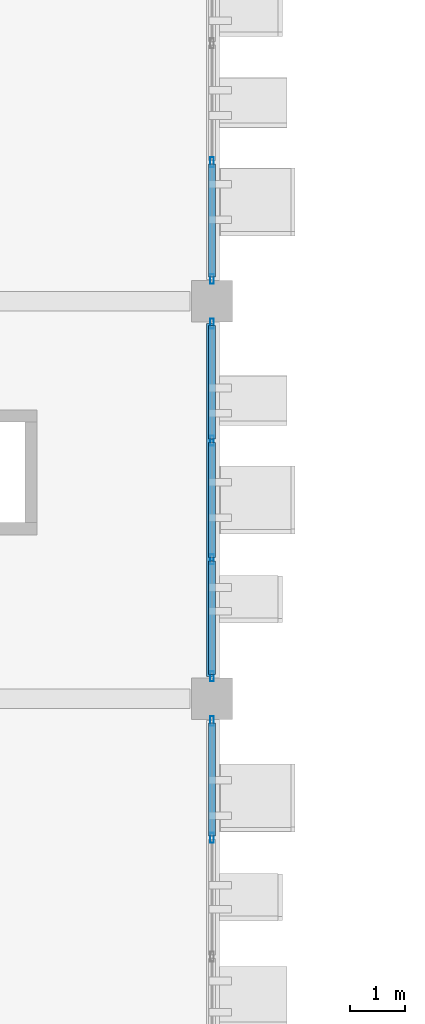
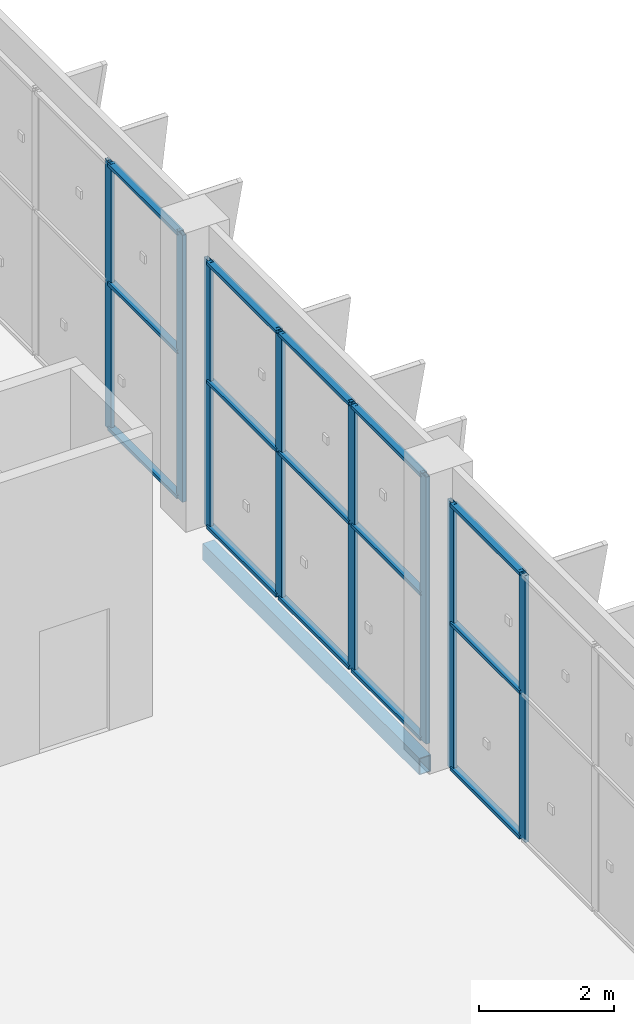
# One storey, part 57 of 189: 23 members, 1 beam, 3 elements without a shape of their own.
"""IFC4 building model written with IfcOpenShell, lengths in metres."""

from ifc_helpers import new_model, si_unit, direction, frame, origin, origin_2d, place, context, subcontext, project, spatial, hollow_rectangle, extrude, material, layer, layer_set, material_profile, profile_set, type_object, element, aggregate, save


model = new_model("IFC4")

# Units and contexts
model_context = context("Model", 3, precision=1e-05, world=origin(), true_north=direction((0.0, 1.0)))
body_context = subcontext(model_context, "Body", "Model", "MODEL_VIEW")
ifc_project = project(units=[si_unit("LENGTHUNIT", "METRE"), si_unit("AREAUNIT", "SQUARE_METRE"), si_unit("VOLUMEUNIT", "CUBIC_METRE"), si_unit("PLANEANGLEUNIT", "RADIAN"), si_unit("MASSUNIT", "GRAM", prefix="KILO")], contexts=[model_context])

# Site, building, storey
site_placement = place(None, origin())
site = spatial("IfcSite", under=ifc_project, at=site_placement, CompositionType="ELEMENT")
building_placement = place(site_placement, origin())
building = spatial("IfcBuilding", under=site, at=building_placement, Name="Celestram Park Convention Centre", CompositionType="ELEMENT")
storey_placement = place(building_placement, frame((0.0, 0.0, 5.39990234375)))
storey = spatial("IfcBuildingStorey", under=building, at=storey_placement, Name="L01", CompositionType="ELEMENT", Elevation=5.39990234375)

# Curtain wall, members
ifc_material_1 = material(Name="Anodised Aluminium Alloy 6063-T6", Category="aluminium")
ifc_layer = layer(ifc_material_1, 0.179931640625)
ifc_layer_set = layer_set([ifc_layer], Name="Anodised Aluminium Alloy 6063-T6")
curtain_wall_type = type_object("IfcCurtainWallType", Name="ARC-CW-645X482", PredefinedType="NOTDEFINED", material=ifc_layer_set)
curtain_wall_1_placement = place(storey_placement, origin())
curtain_wall_1 = element("IfcCurtainWall", 1, at=curtain_wall_1_placement, inside=storey, type_object=curtain_wall_type, Name="Unitised curtain wall CU-L01-094", PredefinedType="NOTDEFINED")
ifc_material_profile_1 = material_profile(ifc_material_1, hollow_rectangle(XDim=0.06494140625, YDim=0.179931640625, WallThickness=0.00390625, at=origin_2d()), Name="ALU65X180X4")
ifc_profile_set_1 = profile_set([ifc_material_profile_1], Name="Anodised Aluminium Alloy 6063-T6")
member_type_1 = type_object("IfcMemberType", Name="ARC-CWM-150", PredefinedType="MULLION", material=ifc_profile_set_1)
member_1_placement = place(storey_placement, frame((144.0, 60.124267578125, 0.0), z_axis=(0.0, 0.0, 1.0), x_axis=(1.0, 0.0, 0.0)))
member_1 = element("IfcMember", 2, at=member_1_placement, type_object=member_type_1, Name="CW-64X48 mullion 3", PredefinedType="MULLION", context=body_context, shape_type="SweptSolid", body=[
    extrude(hollow_rectangle(XDim=0.06494140625, YDim=0.179931640625, WallThickness=0.00390625, at=origin_2d()), origin(), (0.0, 0.0, 1.0), 4.820068359375),
])
member_2_placement = place(storey_placement, frame((144.0, 58.005615234375, 0.0), z_axis=(0.0, 0.0, 1.0), x_axis=(1.0, 0.0, 0.0)))
member_2 = element("IfcMember", 3, at=member_2_placement, type_object=member_type_1, Name="CW-64X48 mullion 4", PredefinedType="MULLION", context=body_context, shape_type="SweptSolid", body=[
    extrude(hollow_rectangle(XDim=0.06494140625, YDim=0.179931640625, WallThickness=0.00390625, at=origin_2d()), origin(), (0.0, 0.0, 1.0), 4.820068359375),
])

curtain_wall_2_placement = place(storey_placement, origin())
curtain_wall_2 = element("IfcCurtainWall", 4, at=curtain_wall_2_placement, inside=storey, type_object=curtain_wall_type, Name="Unitised curtain wall CU-L01-095", PredefinedType="NOTDEFINED")
member_3_placement = place(storey_placement, frame((144.0, 57.194580078125, 0.0), z_axis=(0.0, 0.0, 1.0), x_axis=(1.0, 0.0, 0.0)))
member_3 = element("IfcMember", 5, at=member_3_placement, type_object=member_type_1, Name="CW-64X48 mullion 1", PredefinedType="MULLION", context=body_context, shape_type="SweptSolid", body=[
    extrude(hollow_rectangle(XDim=0.06494140625, YDim=0.179931640625, WallThickness=0.00390625, at=origin_2d()), origin(), (0.0, 0.0, 1.0), 4.820068359375),
])
member_4_placement = place(storey_placement, frame((144.0, 55.07568359375, 0.0), z_axis=(0.0, 0.0, 1.0), x_axis=(1.0, 0.0, 0.0)))
member_4 = element("IfcMember", 6, at=member_4_placement, type_object=member_type_1, Name="CW-64X48 mullion 2", PredefinedType="MULLION", context=body_context, shape_type="SweptSolid", body=[
    extrude(hollow_rectangle(XDim=0.06494140625, YDim=0.179931640625, WallThickness=0.00390625, at=origin_2d()), origin(), (0.0, 0.0, 1.0), 4.820068359375),
])
member_5_placement = place(storey_placement, frame((144.0, 52.92431640625, 0.0), z_axis=(0.0, 0.0, 1.0), x_axis=(1.0, 0.0, 0.0)))
member_5 = element("IfcMember", 7, at=member_5_placement, type_object=member_type_1, Name="CW-64X48 mullion 3", PredefinedType="MULLION", context=body_context, shape_type="SweptSolid", body=[
    extrude(hollow_rectangle(XDim=0.06494140625, YDim=0.179931640625, WallThickness=0.00390625, at=origin_2d()), origin(), (0.0, 0.0, 1.0), 4.820068359375),
])
member_6_placement = place(storey_placement, frame((144.0, 50.805419921875, 0.0), z_axis=(0.0, 0.0, 1.0), x_axis=(1.0, 0.0, 0.0)))
member_6 = element("IfcMember", 8, at=member_6_placement, type_object=member_type_1, Name="CW-64X48 mullion 4", PredefinedType="MULLION", context=body_context, shape_type="SweptSolid", body=[
    extrude(hollow_rectangle(XDim=0.06494140625, YDim=0.179931640625, WallThickness=0.00390625, at=origin_2d()), origin(), (0.0, 0.0, 1.0), 4.820068359375),
])

curtain_wall_3_placement = place(storey_placement, origin())
curtain_wall_3 = element("IfcCurtainWall", 9, at=curtain_wall_3_placement, inside=storey, type_object=curtain_wall_type, Name="Unitised curtain wall CU-L01-096", PredefinedType="NOTDEFINED")
member_7_placement = place(storey_placement, frame((144.0, 49.994384765625, 0.0), z_axis=(0.0, 0.0, 1.0), x_axis=(1.0, 0.0, 0.0)))
member_7 = element("IfcMember", 10, at=member_7_placement, type_object=member_type_1, Name="CW-64X48 mullion 1", PredefinedType="MULLION", context=body_context, shape_type="SweptSolid", body=[
    extrude(hollow_rectangle(XDim=0.06494140625, YDim=0.179931640625, WallThickness=0.00390625, at=origin_2d()), origin(), (0.0, 0.0, 1.0), 4.820068359375),
])
member_8_placement = place(storey_placement, frame((144.0, 47.875732421875, 0.0), z_axis=(0.0, 0.0, 1.0), x_axis=(1.0, 0.0, 0.0)))
member_8 = element("IfcMember", 11, at=member_8_placement, type_object=member_type_1, Name="CW-64X48 mullion 2", PredefinedType="MULLION", context=body_context, shape_type="SweptSolid", body=[
    extrude(hollow_rectangle(XDim=0.06494140625, YDim=0.179931640625, WallThickness=0.00390625, at=origin_2d()), origin(), (0.0, 0.0, 1.0), 4.820068359375),
])

# Member
ifc_material_profile_2 = material_profile(ifc_material_1, hollow_rectangle(XDim=0.1201171875, YDim=0.06005859375, WallThickness=0.0029296875, at=origin_2d()), Name="ALU120X60X3")
ifc_profile_set_2 = profile_set([ifc_material_profile_2], Name="Anodised Aluminium Alloy 6063-T6")
member_type_2 = type_object("IfcMemberType", Name="ARC-CWT-120", PredefinedType="USERDEFINED", material=ifc_profile_set_2)
member_9_placement = place(storey_placement, frame((144.0, 60.091796875, 0.030029296875), z_axis=(0.0, -1.0, 0.0), x_axis=(1.0, 0.0, 0.0)))
member_9 = element("IfcMember", 12, at=member_9_placement, type_object=member_type_2, Name="CW-64X48 transom 3.1", ObjectType="TRANSOM", PredefinedType="USERDEFINED", context=body_context, shape_type="SweptSolid", body=[
    extrude(hollow_rectangle(XDim=0.1201171875, YDim=0.06005859375, WallThickness=0.0029296875, at=origin_2d()), origin(), (0.0, 0.0, 1.0), 2.0537109375),
])

member_10_placement = place(storey_placement, frame((144.0, 60.091796875, 2.650146484375), z_axis=(0.0, -1.0, 0.0), x_axis=(1.0, 0.0, 0.0)))
member_10 = element("IfcMember", 13, at=member_10_placement, type_object=member_type_2, Name="CW-64X48 transom 3.2", ObjectType="TRANSOM", PredefinedType="USERDEFINED", context=body_context, shape_type="SweptSolid", body=[
    extrude(hollow_rectangle(XDim=0.1201171875, YDim=0.06005859375, WallThickness=0.0029296875, at=origin_2d()), origin(), (0.0, 0.0, 1.0), 2.0537109375),
])

member_11_placement = place(storey_placement, frame((144.0, 60.091796875, 4.7900390625), z_axis=(0.0, -1.0, 0.0), x_axis=(1.0, 0.0, 0.0)))
member_11 = element("IfcMember", 14, at=member_11_placement, type_object=member_type_2, Name="CW-64X48 transom 3.3", ObjectType="TRANSOM", PredefinedType="USERDEFINED", context=body_context, shape_type="SweptSolid", body=[
    extrude(hollow_rectangle(XDim=0.1201171875, YDim=0.06005859375, WallThickness=0.0029296875, at=origin_2d()), origin(), (0.0, 0.0, 1.0), 2.0537109375),
])

aggregate(curtain_wall_1, [member_1, member_2, member_9, member_10, member_11])

member_12_placement = place(storey_placement, frame((144.0, 57.162109375, 0.030029296875), z_axis=(0.0, -1.0, 0.0), x_axis=(1.0, 0.0, 0.0)))
member_12 = element("IfcMember", 15, at=member_12_placement, type_object=member_type_2, Name="CW-64X48 transom 1.1", ObjectType="TRANSOM", PredefinedType="USERDEFINED", context=body_context, shape_type="SweptSolid", body=[
    extrude(hollow_rectangle(XDim=0.1201171875, YDim=0.06005859375, WallThickness=0.0029296875, at=origin_2d()), origin(), (0.0, 0.0, 1.0), 2.053955078125),
])

member_13_placement = place(storey_placement, frame((144.0, 57.162109375, 2.650146484375), z_axis=(0.0, -1.0, 0.0), x_axis=(1.0, 0.0, 0.0)))
member_13 = element("IfcMember", 16, at=member_13_placement, type_object=member_type_2, Name="CW-64X48 transom 1.2", ObjectType="TRANSOM", PredefinedType="USERDEFINED", context=body_context, shape_type="SweptSolid", body=[
    extrude(hollow_rectangle(XDim=0.1201171875, YDim=0.06005859375, WallThickness=0.0029296875, at=origin_2d()), origin(), (0.0, 0.0, 1.0), 2.053955078125),
])

member_14_placement = place(storey_placement, frame((144.0, 57.162109375, 4.7900390625), z_axis=(0.0, -1.0, 0.0), x_axis=(1.0, 0.0, 0.0)))
member_14 = element("IfcMember", 17, at=member_14_placement, type_object=member_type_2, Name="CW-64X48 transom 1.3", ObjectType="TRANSOM", PredefinedType="USERDEFINED", context=body_context, shape_type="SweptSolid", body=[
    extrude(hollow_rectangle(XDim=0.1201171875, YDim=0.06005859375, WallThickness=0.0029296875, at=origin_2d()), origin(), (0.0, 0.0, 1.0), 2.053955078125),
])

member_15_placement = place(storey_placement, frame((144.0, 55.043212890625, 0.030029296875), z_axis=(0.0, -1.0, 0.0), x_axis=(1.0, 0.0, 0.0)))
member_15 = element("IfcMember", 18, at=member_15_placement, type_object=member_type_2, Name="CW-64X48 transom 2.1", ObjectType="TRANSOM", PredefinedType="USERDEFINED", context=body_context, shape_type="SweptSolid", body=[
    extrude(hollow_rectangle(XDim=0.1201171875, YDim=0.06005859375, WallThickness=0.0029296875, at=origin_2d()), origin(), (0.0, 0.0, 1.0), 2.08642578125),
])

member_16_placement = place(storey_placement, frame((144.0, 55.043212890625, 2.650146484375), z_axis=(0.0, -1.0, 0.0), x_axis=(1.0, 0.0, 0.0)))
member_16 = element("IfcMember", 19, at=member_16_placement, type_object=member_type_2, Name="CW-64X48 transom 2.2", ObjectType="TRANSOM", PredefinedType="USERDEFINED", context=body_context, shape_type="SweptSolid", body=[
    extrude(hollow_rectangle(XDim=0.1201171875, YDim=0.06005859375, WallThickness=0.0029296875, at=origin_2d()), origin(), (0.0, 0.0, 1.0), 2.08642578125),
])

member_17_placement = place(storey_placement, frame((144.0, 55.043212890625, 4.7900390625), z_axis=(0.0, -1.0, 0.0), x_axis=(1.0, 0.0, 0.0)))
member_17 = element("IfcMember", 20, at=member_17_placement, type_object=member_type_2, Name="CW-64X48 transom 2.3", ObjectType="TRANSOM", PredefinedType="USERDEFINED", context=body_context, shape_type="SweptSolid", body=[
    extrude(hollow_rectangle(XDim=0.1201171875, YDim=0.06005859375, WallThickness=0.0029296875, at=origin_2d()), origin(), (0.0, 0.0, 1.0), 2.08642578125),
])

member_18_placement = place(storey_placement, frame((144.0, 52.891845703125, 0.030029296875), z_axis=(0.0, -1.0, 0.0), x_axis=(1.0, 0.0, 0.0)))
member_18 = element("IfcMember", 21, at=member_18_placement, type_object=member_type_2, Name="CW-64X48 transom 3.1", ObjectType="TRANSOM", PredefinedType="USERDEFINED", context=body_context, shape_type="SweptSolid", body=[
    extrude(hollow_rectangle(XDim=0.1201171875, YDim=0.06005859375, WallThickness=0.0029296875, at=origin_2d()), origin(), (0.0, 0.0, 1.0), 2.053955078125),
])

member_19_placement = place(storey_placement, frame((144.0, 52.891845703125, 2.650146484375), z_axis=(0.0, -1.0, 0.0), x_axis=(1.0, 0.0, 0.0)))
member_19 = element("IfcMember", 22, at=member_19_placement, type_object=member_type_2, Name="CW-64X48 transom 3.2", ObjectType="TRANSOM", PredefinedType="USERDEFINED", context=body_context, shape_type="SweptSolid", body=[
    extrude(hollow_rectangle(XDim=0.1201171875, YDim=0.06005859375, WallThickness=0.0029296875, at=origin_2d()), origin(), (0.0, 0.0, 1.0), 2.053955078125),
])

member_20_placement = place(storey_placement, frame((144.0, 52.891845703125, 4.7900390625), z_axis=(0.0, -1.0, 0.0), x_axis=(1.0, 0.0, 0.0)))
member_20 = element("IfcMember", 23, at=member_20_placement, type_object=member_type_2, Name="CW-64X48 transom 3.3", ObjectType="TRANSOM", PredefinedType="USERDEFINED", context=body_context, shape_type="SweptSolid", body=[
    extrude(hollow_rectangle(XDim=0.1201171875, YDim=0.06005859375, WallThickness=0.0029296875, at=origin_2d()), origin(), (0.0, 0.0, 1.0), 2.053955078125),
])

aggregate(curtain_wall_2, [member_3, member_4, member_5, member_6, member_12, member_13, member_14, member_15, member_16, member_17, member_18, member_19, member_20])

member_21_placement = place(storey_placement, frame((144.0, 49.9619140625, 0.030029296875), z_axis=(0.0, -1.0, 0.0), x_axis=(1.0, 0.0, 0.0)))
member_21 = element("IfcMember", 24, at=member_21_placement, type_object=member_type_2, Name="CW-64X48 transom 1.1", ObjectType="TRANSOM", PredefinedType="USERDEFINED", context=body_context, shape_type="SweptSolid", body=[
    extrude(hollow_rectangle(XDim=0.1201171875, YDim=0.06005859375, WallThickness=0.0029296875, at=origin_2d()), origin(), (0.0, 0.0, 1.0), 2.0537109375),
])

member_22_placement = place(storey_placement, frame((144.0, 49.9619140625, 2.650146484375), z_axis=(0.0, -1.0, 0.0), x_axis=(1.0, 0.0, 0.0)))
member_22 = element("IfcMember", 25, at=member_22_placement, type_object=member_type_2, Name="CW-64X48 transom 1.2", ObjectType="TRANSOM", PredefinedType="USERDEFINED", context=body_context, shape_type="SweptSolid", body=[
    extrude(hollow_rectangle(XDim=0.1201171875, YDim=0.06005859375, WallThickness=0.0029296875, at=origin_2d()), origin(), (0.0, 0.0, 1.0), 2.0537109375),
])

member_23_placement = place(storey_placement, frame((144.0, 49.9619140625, 4.7900390625), z_axis=(0.0, -1.0, 0.0), x_axis=(1.0, 0.0, 0.0)))
member_23 = element("IfcMember", 26, at=member_23_placement, type_object=member_type_2, Name="CW-64X48 transom 1.3", ObjectType="TRANSOM", PredefinedType="USERDEFINED", context=body_context, shape_type="SweptSolid", body=[
    extrude(hollow_rectangle(XDim=0.1201171875, YDim=0.06005859375, WallThickness=0.0029296875, at=origin_2d()), origin(), (0.0, 0.0, 1.0), 2.0537109375),
])

aggregate(curtain_wall_3, [member_7, member_8, member_21, member_22, member_23])

# Beam
ifc_material_2 = material(Name="Steel ASTM A500 Grade C", Category="steel")
ifc_material_profile_3 = material_profile(ifc_material_2, hollow_rectangle(XDim=0.199951171875, YDim=0.300048828125, WallThickness=0.011962890625, at=origin_2d()), Name="HSS300X200X12")
ifc_profile_set_3 = profile_set([ifc_material_profile_3], Name="Steel ASTM A500 Grade C")
beam_type = type_object("IfcBeamType", Name="STR-SPN-HSS300X200", PredefinedType="SPANDREL", material=ifc_profile_set_3)
beam_placement = place(storey_placement, frame((144.0, 50.798095703125, -0.429931640625), z_axis=(0.0, 1.0, 0.0), x_axis=(-1.0, 0.0, 0.0)))
element("IfcBeam", 27, at=beam_placement, inside=storey, type_object=beam_type, Name="Primary Y-girder BG-L01-0337", PredefinedType="SPANDREL", context=body_context, shape_type="SweptSolid", body=[
    extrude(hollow_rectangle(XDim=0.199951171875, YDim=0.300048828125, WallThickness=0.011962890625, at=origin_2d()), origin(), (0.0, 0.0, 1.0), 6.40380859375),
])

save(model, "model.ifc")
